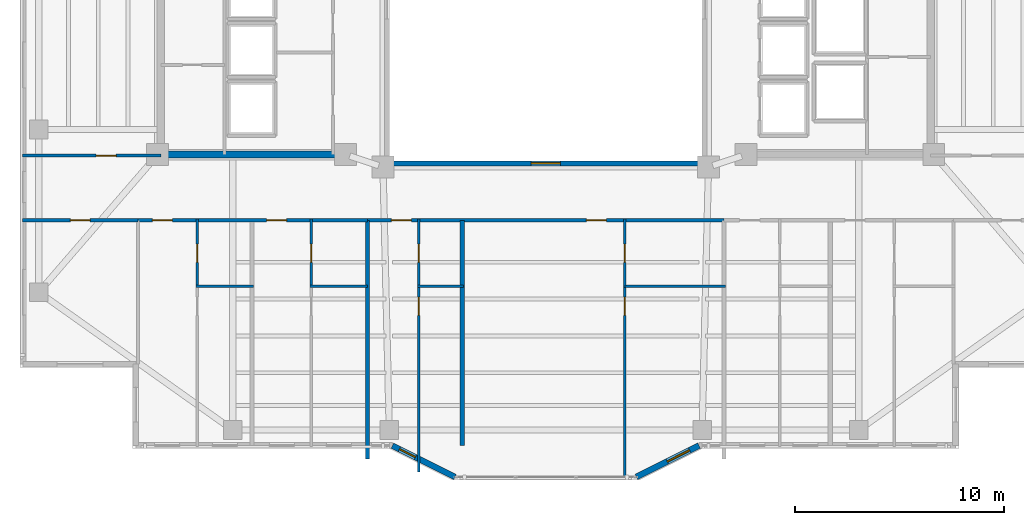
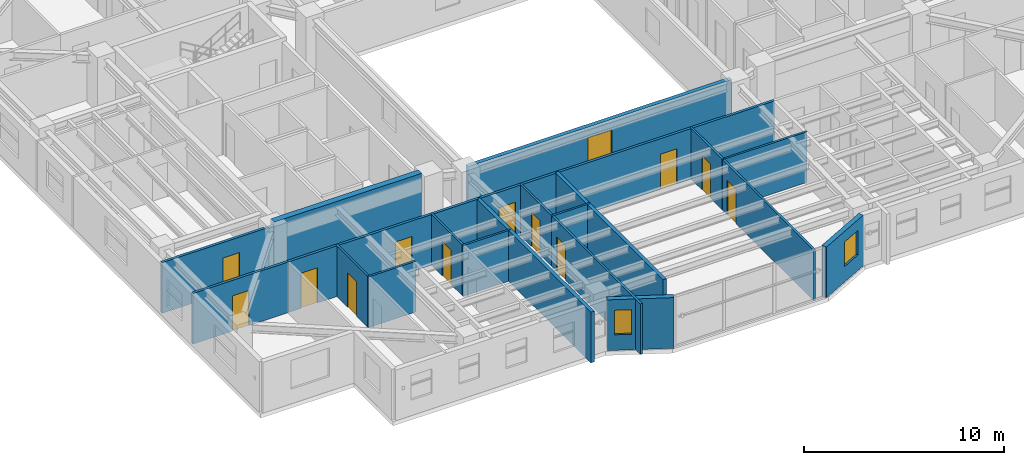
# One storey, part 6 of 16: 20 walls, 12 doors, 3 windows, 15 openings.
"""IFC4 building model written with IfcOpenShell, lengths in metres."""

from ifc_helpers import new_model, si_unit, direction, frame, frame_2d, origin, place, context, subcontext, project, spatial, rectangle, extrude, material, layer, layer_set, type_object, element, fill, save


model = new_model("IFC4")

# Units and contexts
model_context = context("Model", 3, precision=1e-05, world=origin(), true_north=direction((0.0, 1.0)))
body_context = subcontext(model_context, "Body", "Model", "MODEL_VIEW")
ifc_project = project(units=[si_unit("LENGTHUNIT", "METRE"), si_unit("AREAUNIT", "SQUARE_METRE"), si_unit("VOLUMEUNIT", "CUBIC_METRE"), si_unit("PLANEANGLEUNIT", "RADIAN"), si_unit("MASSUNIT", "GRAM", prefix="KILO")], contexts=[model_context])

# Site, building, storey
site_placement = place(None, origin())
site = spatial("IfcSite", under=ifc_project, at=site_placement, CompositionType="ELEMENT")
building_placement = place(site_placement, origin())
building = spatial("IfcBuilding", under=site, at=building_placement, Name="Tarnavaz Court Tower", CompositionType="ELEMENT")
storey_placement = place(building_placement, frame((0.0, 0.0, 166.10009765625)))
storey = spatial("IfcBuildingStorey", under=building, at=storey_placement, Name="L45", CompositionType="ELEMENT", Elevation=166.10009765625)

# Wall
ifc_material_1 = material(Name="Concrete C50/60", Category="concrete")
ifc_layer_1 = layer(ifc_material_1, 0.35009765625)
ifc_layer_set_1 = layer_set([ifc_layer_1], Name="Concrete C50/60")
wall_type_1 = type_object("IfcWallType", Name="WL-CORE-350-C50", PredefinedType="SHEAR", material=ifc_layer_set_1)
wall_1_placement = place(storey_placement, frame((-18.625, -7.199951171875, 0.0), z_axis=(0.0, 0.0, 1.0), x_axis=(1.0, 0.0, 0.0)))
element("IfcWall", 1, at=wall_1_placement, inside=storey, type_object=wall_type_1, Name="L45 West Core South Shear Wall 058", PredefinedType="SHEAR", context=body_context, shape_type="SweptSolid", body=[
    extrude(rectangle(XDim=8.550048828125, YDim=0.35009765625, at=frame_2d((4.27490234375, 0.0))), origin(), (0.0, 0.0, 1.0), 3.349853515625),
])

# Wall, opening, window
ifc_material_2 = material(Name="Precast Concrete C40/50", Category="concrete")
ifc_layer_2 = layer(ifc_material_2, 0.280029296875)
ifc_layer_set_2 = layer_set([ifc_layer_2], Name="Precast Concrete C40/50")
wall_type_2 = type_object("IfcWallType", Name="WL-EXT-280", PredefinedType="SOLIDWALL", material=ifc_layer_set_2)
wall_2_placement = place(storey_placement, frame((7.35009765625, -21.14990234375, 0.0), z_axis=(0.0, 0.0, 1.0), x_axis=(-0.894427191, -0.4472135955, 0.0)))
wall_2 = element("IfcWall", 2, at=wall_2_placement, inside=storey, type_object=wall_type_2, Name="L45 Exterior Terracotta Facade Wall 16", PredefinedType="SOLIDWALL", context=body_context, shape_type="SweptSolid", body=[
    extrude(rectangle(XDim=3.35400390625, YDim=0.280029296875, at=frame_2d((1.677001953125, 0.0))), origin(), (0.0, 0.0, 1.0), 3.099853515625),
])
opening_1_placement = place(wall_2_placement, frame((0.501220703125, 0.0, 0.949951171875)))
opening_1 = element("IfcOpeningElement", 3, at=opening_1_placement, cuts=wall_2, Name="Opening W05", PredefinedType="OPENING", context=body_context, shape_type="SweptSolid", body=[
    extrude(rectangle(XDim=1.199951171875, YDim=1.5, at=frame_2d((0.60009765625, 0.75))), frame((0.0, 0.14990234375, 0.0), z_axis=(0.0, -1.0, 0.0), x_axis=(1.0, 0.0, 0.0)), (0.0, 0.0, 1.0), 0.300048828125),
])
ifc_material_3 = material(Name="Double-Glazed Solar Low-E Glass", Category="glass")
window_type_1 = type_object("IfcWindowType", Name="WN-APT-1200", PartitioningType="SINGLE_PANEL", PredefinedType="WINDOW", material=ifc_material_3)
window_1_placement = place(opening_1_placement, origin())
window_1 = element("IfcWindow", 4, at=window_1_placement, inside=storey, type_object=window_type_1, Name="L45 Flat 10 Kitchen Window", OverallHeight=1.5, OverallWidth=1.199951171875, PartitioningType="SINGLE_PANEL", PredefinedType="WINDOW", context=body_context, shape_type="SweptSolid", body=[
    extrude(rectangle(XDim=1.199951171875, YDim=1.5, at=frame_2d((0.60009765625, 0.75))), frame((0.0, 0.030029296875, 0.0), z_axis=(0.0, -1.0, 0.0), x_axis=(1.0, 0.0, 0.0)), (0.0, 0.0, 1.0), 0.06005859375),
])
fill(opening_1, window_1)

wall_3_placement = place(storey_placement, frame((-4.35009765625, -22.64990234375, 0.0), z_axis=(0.0, 0.0, 1.0), x_axis=(-0.894427191, 0.4472135955, 0.0)))
wall_3 = element("IfcWall", 5, at=wall_3_placement, inside=storey, type_object=wall_type_2, Name="L45 Exterior Terracotta Facade Wall 18", PredefinedType="SOLIDWALL", context=body_context, shape_type="SweptSolid", body=[
    extrude(rectangle(XDim=3.35400390625, YDim=0.280029296875, at=frame_2d((1.677001953125, 0.0))), origin(), (0.0, 0.0, 1.0), 3.099853515625),
])
opening_2_placement = place(wall_3_placement, frame((2.12353515625, 0.0, 0.949951171875)))
opening_2 = element("IfcOpeningElement", 6, at=opening_2_placement, cuts=wall_3, Name="Opening W15", PredefinedType="OPENING", context=body_context, shape_type="SweptSolid", body=[
    extrude(rectangle(XDim=0.85009765625, YDim=1.5, at=frame_2d((0.425048828125, 0.75))), frame((0.0, 0.14990234375, 0.0), z_axis=(0.0, -1.0, 0.0), x_axis=(1.0, 0.0, 0.0)), (0.0, 0.0, 1.0), 0.300048828125),
])
window_type_2 = type_object("IfcWindowType", Name="WN-APT-850", PartitioningType="SINGLE_PANEL", PredefinedType="WINDOW", material=ifc_material_3)
window_2_placement = place(opening_2_placement, origin())
window_2 = element("IfcWindow", 7, at=window_2_placement, inside=storey, type_object=window_type_2, Name="L45 Prow Cheek Bedroom Window 18", OverallHeight=1.5, OverallWidth=0.85009765625, PartitioningType="SINGLE_PANEL", PredefinedType="WINDOW", context=body_context, shape_type="SweptSolid", body=[
    extrude(rectangle(XDim=0.85009765625, YDim=1.5, at=frame_2d((0.425048828125, 0.75))), frame((0.0, 0.030029296875, 0.0), z_axis=(0.0, -1.0, 0.0), x_axis=(1.0, 0.0, 0.0)), (0.0, 0.0, 1.0), 0.06005859375),
])
fill(opening_2, window_2)

# Wall, openings, doors
ifc_material_4 = material(Name="Gypsum Fire-Board on Acoustic Metal Stud", Category="masonry")
ifc_layer_3 = layer(ifc_material_4, 0.14990234375)
ifc_layer_set_3 = layer_set([ifc_layer_3], Name="Gypsum Fire-Board on Acoustic Metal Stud")
wall_type_3 = type_object("IfcWallType", Name="WL-FIRE-150", PredefinedType="PARTITIONING", material=ifc_layer_set_3)
wall_4_placement = place(storey_placement, frame((-19.550048828125, -10.35009765625, 0.0), z_axis=(0.0, 0.0, 1.0), x_axis=(1.0, 0.0, 0.0)))
wall_4 = element("IfcWall", 8, at=wall_4_placement, inside=storey, type_object=wall_type_3, Name="L45 SW Horseshoe Wall 073", PredefinedType="PARTITIONING", context=body_context, shape_type="SweptSolid", body=[
    extrude(rectangle(XDim=11.0, YDim=0.14990234375, at=frame_2d((5.5, 0.0))), origin(), (0.0, 0.0, 1.0), 3.099853515625),
])
opening_3_placement = place(wall_4_placement, frame((0.699951171875, 0.0, 0.0)))
opening_3 = element("IfcOpeningElement", 9, at=opening_3_placement, cuts=wall_4, Name="Opening D06", PredefinedType="OPENING", context=body_context, shape_type="SweptSolid", body=[
    extrude(rectangle(XDim=0.9599609375, YDim=2.14990234375, at=frame_2d((0.47998046875, 1.074951171875))), frame((0.0, 0.0849609375, 0.0), z_axis=(0.0, -1.0, 0.0), x_axis=(1.0, 0.0, 0.0)), (0.0, 0.0, 1.0), 0.169921875),
])
opening_4_placement = place(wall_4_placement, frame((6.175048828125, 0.0, 0.0)))
opening_4 = element("IfcOpeningElement", 10, at=opening_4_placement, cuts=wall_4, Name="Opening D06", PredefinedType="OPENING", context=body_context, shape_type="SweptSolid", body=[
    extrude(rectangle(XDim=0.9599609375, YDim=2.14990234375, at=frame_2d((0.47998046875, 1.074951171875))), frame((0.0, 0.0849609375, 0.0), z_axis=(0.0, -1.0, 0.0), x_axis=(1.0, 0.0, 0.0)), (0.0, 0.0, 1.0), 0.169921875),
])
ifc_material_5 = material(Name="Fire-Rated Hardwood Timber Core", Category="wood")
door_type_1 = type_object("IfcDoorType", Name="DR-FD60-950", OperationType="NOTDEFINED", PredefinedType="DOOR", material=ifc_material_5)
door_1_placement = place(opening_3_placement, origin())
door_1 = element("IfcDoor", 11, at=door_1_placement, inside=storey, type_object=door_type_1, Name="L45 Flat 05 Entrance Door", OperationType="SINGLE_SWING_LEFT", OverallHeight=2.14990234375, OverallWidth=0.9599609375, PredefinedType="DOOR", context=body_context, shape_type="SweptSolid", body=[
    extrude(rectangle(XDim=0.9599609375, YDim=2.14990234375, at=frame_2d((0.47998046875, 1.074951171875))), frame((0.0, 0.02490234375, 0.0), z_axis=(0.0, -1.0, 0.0), x_axis=(1.0, 0.0, 0.0)), (0.0, 0.0, 1.0), 0.050048828125),
])
fill(opening_3, door_1)
door_2_placement = place(opening_4_placement, origin())
door_2 = element("IfcDoor", 12, at=door_2_placement, inside=storey, type_object=door_type_1, Name="L45 Flat 06 Entrance Door", OperationType="SINGLE_SWING_RIGHT", OverallHeight=2.14990234375, OverallWidth=0.9599609375, PredefinedType="DOOR", context=body_context, shape_type="SweptSolid", body=[
    extrude(rectangle(XDim=0.9599609375, YDim=2.14990234375, at=frame_2d((0.47998046875, 1.074951171875))), frame((0.0, 0.02490234375, 0.0), z_axis=(0.0, -1.0, 0.0), x_axis=(1.0, 0.0, 0.0)), (0.0, 0.0, 1.0), 0.050048828125),
])
fill(opening_4, door_2)

wall_5_placement = place(storey_placement, frame((-8.550048828125, -10.35009765625, 0.0), z_axis=(0.0, 0.0, 1.0), x_axis=(1.0, 0.0, 0.0)))
wall_5 = element("IfcWall", 13, at=wall_5_placement, inside=storey, type_object=wall_type_3, Name="L45 Interior Partition 106", PredefinedType="PARTITIONING", context=body_context, shape_type="SweptSolid", body=[
    extrude(rectangle(XDim=17.10009765625, YDim=0.14990234375, at=frame_2d((8.550048828125, 0.0))), origin(), (0.0, 0.0, 1.0), 3.099853515625),
])
opening_5_placement = place(wall_5_placement, frame((1.14990234375, 0.0, 0.0)))
opening_5 = element("IfcOpeningElement", 14, at=opening_5_placement, cuts=wall_5, Name="Opening D06", PredefinedType="OPENING", context=body_context, shape_type="SweptSolid", body=[
    extrude(rectangle(XDim=0.9599609375, YDim=2.14990234375, at=frame_2d((0.47998046875, 1.074951171875))), frame((0.0, 0.0849609375, 0.0), z_axis=(0.0, -1.0, 0.0), x_axis=(1.0, 0.0, 0.0)), (0.0, 0.0, 1.0), 0.169921875),
])
opening_6_placement = place(wall_5_placement, frame((10.5, 0.0, 0.0)))
opening_6 = element("IfcOpeningElement", 15, at=opening_6_placement, cuts=wall_5, Name="Opening D06", PredefinedType="OPENING", context=body_context, shape_type="SweptSolid", body=[
    extrude(rectangle(XDim=0.9599609375, YDim=2.14990234375, at=frame_2d((0.47998046875, 1.074951171875))), frame((0.0, 0.0849609375, 0.0), z_axis=(0.0, -1.0, 0.0), x_axis=(1.0, 0.0, 0.0)), (0.0, 0.0, 1.0), 0.169921875),
])
door_3_placement = place(opening_5_placement, origin())
door_3 = element("IfcDoor", 16, at=door_3_placement, inside=storey, type_object=door_type_1, Name="L45 Flat 09 Entrance Door", OperationType="SINGLE_SWING_LEFT", OverallHeight=2.14990234375, OverallWidth=0.9599609375, PredefinedType="DOOR", context=body_context, shape_type="SweptSolid", body=[
    extrude(rectangle(XDim=0.9599609375, YDim=2.14990234375, at=frame_2d((0.47998046875, 1.074951171875))), frame((0.0, 0.02490234375, 0.0), z_axis=(0.0, -1.0, 0.0), x_axis=(1.0, 0.0, 0.0)), (0.0, 0.0, 1.0), 0.050048828125),
])
fill(opening_5, door_3)
door_4_placement = place(opening_6_placement, origin())
door_4 = element("IfcDoor", 17, at=door_4_placement, inside=storey, type_object=door_type_1, Name="L45 Flat 10 Entrance Door", OperationType="SINGLE_SWING_RIGHT", OverallHeight=2.14990234375, OverallWidth=0.9599609375, PredefinedType="DOOR", context=body_context, shape_type="SweptSolid", body=[
    extrude(rectangle(XDim=0.9599609375, YDim=2.14990234375, at=frame_2d((0.47998046875, 1.074951171875))), frame((0.0, 0.02490234375, 0.0), z_axis=(0.0, -1.0, 0.0), x_axis=(1.0, 0.0, 0.0)), (0.0, 0.0, 1.0), 0.050048828125),
])
fill(opening_6, door_4)

# Wall, opening, door
wall_6_placement = place(storey_placement, frame((-25.080078125, -7.25, 0.0), z_axis=(0.0, 0.0, 1.0), x_axis=(1.0, 0.0, 0.0)))
wall_6 = element("IfcWall", 18, at=wall_6_placement, inside=storey, type_object=wall_type_3, Name="L45 Interior Partition 114", PredefinedType="PARTITIONING", context=body_context, shape_type="SweptSolid", body=[
    extrude(rectangle(XDim=6.630126953125, YDim=0.14990234375, at=frame_2d((3.31494140625, 0.0))), origin(), (0.0, 0.0, 1.0), 3.099853515625),
])
opening_7_placement = place(wall_6_placement, frame((3.530029296875, 0.0, 0.0)))
opening_7 = element("IfcOpeningElement", 19, at=opening_7_placement, cuts=wall_6, Name="Opening D06", PredefinedType="OPENING", context=body_context, shape_type="SweptSolid", body=[
    extrude(rectangle(XDim=0.9599609375, YDim=2.14990234375, at=frame_2d((0.47998046875, 1.074951171875))), frame((0.0, 0.0849609375, 0.0), z_axis=(0.0, -1.0, 0.0), x_axis=(1.0, 0.0, 0.0)), (0.0, 0.0, 1.0), 0.169921875),
])
door_5_placement = place(opening_7_placement, origin())
door_5 = element("IfcDoor", 20, at=door_5_placement, inside=storey, type_object=door_type_1, Name="L45 Flat 11 Entrance Door", OperationType="SINGLE_SWING_LEFT", OverallHeight=2.14990234375, OverallWidth=0.9599609375, PredefinedType="DOOR", context=body_context, shape_type="SweptSolid", body=[
    extrude(rectangle(XDim=0.9599609375, YDim=2.14990234375, at=frame_2d((0.47998046875, 1.074951171875))), frame((0.0, 0.02490234375, 0.0), z_axis=(0.0, -1.0, 0.0), x_axis=(1.0, 0.0, 0.0)), (0.0, 0.0, 1.0), 0.050048828125),
])
fill(opening_7, door_5)

wall_7_placement = place(storey_placement, frame((-25.080078125, -10.35009765625, 0.0), z_axis=(0.0, 0.0, 1.0), x_axis=(1.0, 0.0, 0.0)))
wall_7 = element("IfcWall", 21, at=wall_7_placement, inside=storey, type_object=wall_type_3, Name="L45 Interior Partition 124", PredefinedType="PARTITIONING", context=body_context, shape_type="SweptSolid", body=[
    extrude(rectangle(XDim=5.530029296875, YDim=0.14990234375, at=frame_2d((2.76513671875, 0.0))), origin(), (0.0, 0.0, 1.0), 3.099853515625),
])
opening_8_placement = place(wall_7_placement, frame((2.2900390625, 0.0, 0.0)))
opening_8 = element("IfcOpeningElement", 22, at=opening_8_placement, cuts=wall_7, Name="Opening D13", PredefinedType="OPENING", context=body_context, shape_type="SweptSolid", body=[
    extrude(rectangle(XDim=0.949951171875, YDim=2.14990234375, at=frame_2d((0.47509765625, 1.074951171875))), frame((0.0, 0.0849609375, 0.0), z_axis=(0.0, -1.0, 0.0), x_axis=(1.0, 0.0, 0.0)), (0.0, 0.0, 1.0), 0.169921875),
])
ifc_material_6 = material(Name="Engineered Oak Timber", Category="wood")
door_type_2 = type_object("IfcDoorType", Name="DR-INT-950", OperationType="NOTDEFINED", PredefinedType="DOOR", material=ifc_material_6)
door_6_placement = place(opening_8_placement, origin())
door_6 = element("IfcDoor", 23, at=door_6_placement, inside=storey, type_object=door_type_2, Name="L45 SW Reading Room Door", OperationType="SINGLE_SWING_LEFT", OverallHeight=2.14990234375, OverallWidth=0.949951171875, PredefinedType="DOOR", context=body_context, shape_type="SweptSolid", body=[
    extrude(rectangle(XDim=0.949951171875, YDim=2.14990234375, at=frame_2d((0.47509765625, 1.074951171875))), frame((0.0, 0.02490234375, 0.0), z_axis=(0.0, -1.0, 0.0), x_axis=(1.0, 0.0, 0.0)), (0.0, 0.0, 1.0), 0.050048828125),
])
fill(opening_8, door_6)

# Walls
ifc_material_7 = material(Name="Autoclaved Aerated Concrete Blockwork", Category="masonry")
ifc_layer_4 = layer(ifc_material_7, 0.199951171875)
ifc_layer_set_4 = layer_set([ifc_layer_4], Name="Autoclaved Aerated Concrete Blockwork")
wall_type_4 = type_object("IfcWallType", Name="WL-FIRE-200", PredefinedType="SOLIDWALL", material=ifc_layer_set_4)
wall_8_placement = place(storey_placement, frame((-8.550048828125, -21.803955078125, 0.0), z_axis=(0.0, 0.0, 1.0), x_axis=(0.0, 1.0, 0.0)))
element("IfcWall", 24, at=wall_8_placement, inside=storey, type_object=wall_type_4, Name="L45 Party Wall 104", PredefinedType="SOLIDWALL", context=body_context, shape_type="SweptSolid", body=[
    extrude(rectangle(XDim=11.453857421875, YDim=0.199951171875, at=frame_2d((5.72705078125, 0.0))), origin(), (0.0, 0.0, 1.0), 3.099853515625),
])
wall_9_placement = place(storey_placement, frame((-4.0, -21.14990234375, 0.0), z_axis=(0.0, 0.0, 1.0), x_axis=(0.0, 1.0, 0.0)))
element("IfcWall", 25, at=wall_9_placement, inside=storey, type_object=wall_type_4, Name="L45 Party Wall 107", PredefinedType="SOLIDWALL", context=body_context, shape_type="SweptSolid", body=[
    extrude(rectangle(XDim=10.7998046875, YDim=0.199951171875, at=frame_2d((5.39990234375, 0.0))), origin(), (0.0, 0.0, 1.0), 3.099853515625),
])

# Wall, opening, door
ifc_material_8 = material(Name="Moisture-Resistant Gypsum Board Partition", Category="masonry")
ifc_layer_5 = layer(ifc_material_8, 0.1201171875)
ifc_layer_set_5 = layer_set([ifc_layer_5], Name="Moisture-Resistant Gypsum Board Partition")
wall_type_5 = type_object("IfcWallType", Name="WL-PART-120", PredefinedType="PARTITIONING", material=ifc_layer_set_5)
wall_10_placement = place(storey_placement, frame((-16.705078125, -13.510009765625, 0.0), z_axis=(0.0, 0.0, 1.0), x_axis=(0.0, 1.0, 0.0)))
wall_10 = element("IfcWall", 26, at=wall_10_placement, inside=storey, type_object=wall_type_5, Name="L45 Interior Partition 092", PredefinedType="PARTITIONING", context=body_context, shape_type="SweptSolid", body=[
    extrude(rectangle(XDim=3.219970703125, YDim=0.1201171875, at=frame_2d((1.60986328125, 0.0))), origin(), (0.0, 0.0, 1.0), 3.099853515625),
])
opening_9_placement = place(wall_10_placement, frame((1.139892578125, 0.0, 0.0)))
opening_9 = element("IfcOpeningElement", 27, at=opening_9_placement, cuts=wall_10, Name="Opening D14", PredefinedType="OPENING", context=body_context, shape_type="SweptSolid", body=[
    extrude(rectangle(XDim=0.8798828125, YDim=2.10009765625, at=frame_2d((0.43994140625, 1.050048828125))), frame((0.0, 0.070068359375, 0.0), z_axis=(0.0, -1.0, 0.0), x_axis=(1.0, 0.0, 0.0)), (0.0, 0.0, 1.0), 0.14013671875),
])
door_type_3 = type_object("IfcDoorType", Name="DR-INT-900", OperationType="NOTDEFINED", PredefinedType="DOOR", material=ifc_material_6)
door_7_placement = place(opening_9_placement, origin())
door_7 = element("IfcDoor", 28, at=door_7_placement, inside=storey, type_object=door_type_3, Name="L45 Flat 05 Bathroom Door", OperationType="SINGLE_SWING_LEFT", OverallHeight=2.10009765625, OverallWidth=0.8798828125, PredefinedType="DOOR", context=body_context, shape_type="SweptSolid", body=[
    extrude(rectangle(XDim=0.8798828125, YDim=2.10009765625, at=frame_2d((0.43994140625, 1.050048828125))), frame((0.0, 0.02490234375, 0.0), z_axis=(0.0, -1.0, 0.0), x_axis=(1.0, 0.0, 0.0)), (0.0, 0.0, 1.0), 0.050048828125),
])
fill(opening_9, door_7)

# Wall
wall_11_placement = place(storey_placement, frame((-16.764892578125, -13.510009765625, 0.0), z_axis=(0.0, 0.0, 1.0), x_axis=(1.0, 0.0, 0.0)))
element("IfcWall", 29, at=wall_11_placement, inside=storey, type_object=wall_type_5, Name="L45 Interior Partition 093", PredefinedType="PARTITIONING", context=body_context, shape_type="SweptSolid", body=[
    extrude(rectangle(XDim=2.75, YDim=0.1201171875, at=frame_2d((1.375, 0.0))), origin(), (0.0, 0.0, 1.0), 3.099853515625),
])

# Wall, opening, door
wall_12_placement = place(storey_placement, frame((-11.22998046875, -13.510009765625, 0.0), z_axis=(0.0, 0.0, 1.0), x_axis=(0.0, 1.0, 0.0)))
wall_12 = element("IfcWall", 30, at=wall_12_placement, inside=storey, type_object=wall_type_5, Name="L45 Interior Partition 095", PredefinedType="PARTITIONING", context=body_context, shape_type="SweptSolid", body=[
    extrude(rectangle(XDim=3.219970703125, YDim=0.1201171875, at=frame_2d((1.60986328125, 0.0))), origin(), (0.0, 0.0, 1.0), 3.099853515625),
])
opening_10_placement = place(wall_12_placement, frame((1.139892578125, 0.0, 0.0)))
opening_10 = element("IfcOpeningElement", 31, at=opening_10_placement, cuts=wall_12, Name="Opening D14", PredefinedType="OPENING", context=body_context, shape_type="SweptSolid", body=[
    extrude(rectangle(XDim=0.8798828125, YDim=2.10009765625, at=frame_2d((0.43994140625, 1.050048828125))), frame((0.0, 0.070068359375, 0.0), z_axis=(0.0, -1.0, 0.0), x_axis=(1.0, 0.0, 0.0)), (0.0, 0.0, 1.0), 0.14013671875),
])
door_8_placement = place(opening_10_placement, origin())
door_8 = element("IfcDoor", 32, at=door_8_placement, inside=storey, type_object=door_type_3, Name="L45 Flat 06 Bathroom Door", OperationType="SINGLE_SWING_RIGHT", OverallHeight=2.10009765625, OverallWidth=0.8798828125, PredefinedType="DOOR", context=body_context, shape_type="SweptSolid", body=[
    extrude(rectangle(XDim=0.8798828125, YDim=2.10009765625, at=frame_2d((0.43994140625, 1.050048828125))), frame((0.0, 0.02490234375, 0.0), z_axis=(0.0, -1.0, 0.0), x_axis=(1.0, 0.0, 0.0)), (0.0, 0.0, 1.0), 0.050048828125),
])
fill(opening_10, door_8)

# Wall
wall_13_placement = place(storey_placement, frame((-11.2900390625, -13.510009765625, 0.0), z_axis=(0.0, 0.0, 1.0), x_axis=(1.0, 0.0, 0.0)))
element("IfcWall", 33, at=wall_13_placement, inside=storey, type_object=wall_type_5, Name="L45 Interior Partition 096", PredefinedType="PARTITIONING", context=body_context, shape_type="SweptSolid", body=[
    extrude(rectangle(XDim=2.75, YDim=0.1201171875, at=frame_2d((1.375, 0.0))), origin(), (0.0, 0.0, 1.0), 3.099853515625),
])

# Wall, opening, door
wall_14_placement = place(storey_placement, frame((-6.080078125, -22.4140625, 0.0), z_axis=(0.0, 0.0, 1.0), x_axis=(0.0, 1.0, 0.0)))
wall_14 = element("IfcWall", 34, at=wall_14_placement, inside=storey, type_object=wall_type_5, Name="L45 Interior Partition 108", PredefinedType="PARTITIONING", context=body_context, shape_type="SweptSolid", body=[
    extrude(rectangle(XDim=8.904052734375, YDim=0.1201171875, at=frame_2d((4.4521484375, 0.0))), origin(), (0.0, 0.0, 1.0), 3.099853515625),
])
opening_11_placement = place(wall_14_placement, frame((7.50390625, 0.0, 0.0)))
opening_11 = element("IfcOpeningElement", 35, at=opening_11_placement, cuts=wall_14, Name="Opening D14", PredefinedType="OPENING", context=body_context, shape_type="SweptSolid", body=[
    extrude(rectangle(XDim=0.8798828125, YDim=2.10009765625, at=frame_2d((0.43994140625, 1.050048828125))), frame((0.0, 0.070068359375, 0.0), z_axis=(0.0, -1.0, 0.0), x_axis=(1.0, 0.0, 0.0)), (0.0, 0.0, 1.0), 0.14013671875),
])
door_9_placement = place(opening_11_placement, origin())
door_9 = element("IfcDoor", 36, at=door_9_placement, inside=storey, type_object=door_type_3, Name="L45 Flat 09 Kitchen Door", OperationType="SINGLE_SWING_RIGHT", OverallHeight=2.10009765625, OverallWidth=0.8798828125, PredefinedType="DOOR", context=body_context, shape_type="SweptSolid", body=[
    extrude(rectangle(XDim=0.8798828125, YDim=2.10009765625, at=frame_2d((0.43994140625, 1.050048828125))), frame((0.0, 0.02490234375, 0.0), z_axis=(0.0, -1.0, 0.0), x_axis=(1.0, 0.0, 0.0)), (0.0, 0.0, 1.0), 0.050048828125),
])
fill(opening_11, door_9)

wall_15_placement = place(storey_placement, frame((-6.080078125, -13.510009765625, 0.0), z_axis=(0.0, 0.0, 1.0), x_axis=(0.0, 1.0, 0.0)))
wall_15 = element("IfcWall", 37, at=wall_15_placement, inside=storey, type_object=wall_type_5, Name="L45 Interior Partition 109", PredefinedType="PARTITIONING", context=body_context, shape_type="SweptSolid", body=[
    extrude(rectangle(XDim=3.219970703125, YDim=0.1201171875, at=frame_2d((1.60986328125, 0.0))), origin(), (0.0, 0.0, 1.0), 3.099853515625),
])
opening_12_placement = place(wall_15_placement, frame((1.139892578125, 0.0, 0.0)))
opening_12 = element("IfcOpeningElement", 38, at=opening_12_placement, cuts=wall_15, Name="Opening D14", PredefinedType="OPENING", context=body_context, shape_type="SweptSolid", body=[
    extrude(rectangle(XDim=0.8798828125, YDim=2.10009765625, at=frame_2d((0.43994140625, 1.050048828125))), frame((0.0, 0.070068359375, 0.0), z_axis=(0.0, -1.0, 0.0), x_axis=(1.0, 0.0, 0.0)), (0.0, 0.0, 1.0), 0.14013671875),
])
door_10_placement = place(opening_12_placement, origin())
door_10 = element("IfcDoor", 39, at=door_10_placement, inside=storey, type_object=door_type_3, Name="L45 Flat 09 Bathroom Door", OperationType="SINGLE_SWING_LEFT", OverallHeight=2.10009765625, OverallWidth=0.8798828125, PredefinedType="DOOR", context=body_context, shape_type="SweptSolid", body=[
    extrude(rectangle(XDim=0.8798828125, YDim=2.10009765625, at=frame_2d((0.43994140625, 1.050048828125))), frame((0.0, 0.02490234375, 0.0), z_axis=(0.0, -1.0, 0.0), x_axis=(1.0, 0.0, 0.0)), (0.0, 0.0, 1.0), 0.050048828125),
])
fill(opening_12, door_10)

# Wall
wall_16_placement = place(storey_placement, frame((-6.139892578125, -13.510009765625, 0.0), z_axis=(0.0, 0.0, 1.0), x_axis=(1.0, 0.0, 0.0)))
element("IfcWall", 40, at=wall_16_placement, inside=storey, type_object=wall_type_5, Name="L45 Interior Partition 110", PredefinedType="PARTITIONING", context=body_context, shape_type="SweptSolid", body=[
    extrude(rectangle(XDim=2.199951171875, YDim=0.1201171875, at=frame_2d((1.10009765625, 0.0))), origin(), (0.0, 0.0, 1.0), 3.099853515625),
])

# Wall, opening, door
wall_17_placement = place(storey_placement, frame((3.780029296875, -22.679931640625, 0.0), z_axis=(0.0, 0.0, 1.0), x_axis=(0.0, 1.0, 0.0)))
wall_17 = element("IfcWall", 41, at=wall_17_placement, inside=storey, type_object=wall_type_5, Name="L45 Interior Partition 111", PredefinedType="PARTITIONING", context=body_context, shape_type="SweptSolid", body=[
    extrude(rectangle(XDim=9.169921875, YDim=0.1201171875, at=frame_2d((4.5849609375, 0.0))), origin(), (0.0, 0.0, 1.0), 3.099853515625),
])
opening_13_placement = place(wall_17_placement, frame((7.77001953125, 0.0, 0.0)))
opening_13 = element("IfcOpeningElement", 42, at=opening_13_placement, cuts=wall_17, Name="Opening D14", PredefinedType="OPENING", context=body_context, shape_type="SweptSolid", body=[
    extrude(rectangle(XDim=0.8798828125, YDim=2.10009765625, at=frame_2d((0.43994140625, 1.050048828125))), frame((0.0, 0.070068359375, 0.0), z_axis=(0.0, -1.0, 0.0), x_axis=(1.0, 0.0, 0.0)), (0.0, 0.0, 1.0), 0.14013671875),
])
door_11_placement = place(opening_13_placement, origin())
door_11 = element("IfcDoor", 43, at=door_11_placement, inside=storey, type_object=door_type_3, Name="L45 Flat 10 Kitchen Door", OperationType="SINGLE_SWING_LEFT", OverallHeight=2.10009765625, OverallWidth=0.8798828125, PredefinedType="DOOR", context=body_context, shape_type="SweptSolid", body=[
    extrude(rectangle(XDim=0.8798828125, YDim=2.10009765625, at=frame_2d((0.43994140625, 1.050048828125))), frame((0.0, 0.02490234375, 0.0), z_axis=(0.0, -1.0, 0.0), x_axis=(1.0, 0.0, 0.0)), (0.0, 0.0, 1.0), 0.050048828125),
])
fill(opening_13, door_11)

wall_18_placement = place(storey_placement, frame((3.780029296875, -13.510009765625, 0.0), z_axis=(0.0, 0.0, 1.0), x_axis=(0.0, 1.0, 0.0)))
wall_18 = element("IfcWall", 44, at=wall_18_placement, inside=storey, type_object=wall_type_5, Name="L45 Interior Partition 112", PredefinedType="PARTITIONING", context=body_context, shape_type="SweptSolid", body=[
    extrude(rectangle(XDim=3.219970703125, YDim=0.1201171875, at=frame_2d((1.60986328125, 0.0))), origin(), (0.0, 0.0, 1.0), 3.099853515625),
])
opening_14_placement = place(wall_18_placement, frame((1.139892578125, 0.0, 0.0)))
opening_14 = element("IfcOpeningElement", 45, at=opening_14_placement, cuts=wall_18, Name="Opening D14", PredefinedType="OPENING", context=body_context, shape_type="SweptSolid", body=[
    extrude(rectangle(XDim=0.8798828125, YDim=2.10009765625, at=frame_2d((0.43994140625, 1.050048828125))), frame((0.0, 0.070068359375, 0.0), z_axis=(0.0, -1.0, 0.0), x_axis=(1.0, 0.0, 0.0)), (0.0, 0.0, 1.0), 0.14013671875),
])
door_12_placement = place(opening_14_placement, origin())
door_12 = element("IfcDoor", 46, at=door_12_placement, inside=storey, type_object=door_type_3, Name="L45 Flat 10 Bathroom Door", OperationType="SINGLE_SWING_RIGHT", OverallHeight=2.10009765625, OverallWidth=0.8798828125, PredefinedType="DOOR", context=body_context, shape_type="SweptSolid", body=[
    extrude(rectangle(XDim=0.8798828125, YDim=2.10009765625, at=frame_2d((0.43994140625, 1.050048828125))), frame((0.0, 0.02490234375, 0.0), z_axis=(0.0, -1.0, 0.0), x_axis=(1.0, 0.0, 0.0)), (0.0, 0.0, 1.0), 0.050048828125),
])
fill(opening_14, door_12)

# Wall
wall_19_placement = place(storey_placement, frame((3.719970703125, -13.510009765625, 0.0), z_axis=(0.0, 0.0, 1.0), x_axis=(1.0, 0.0, 0.0)))
element("IfcWall", 47, at=wall_19_placement, inside=storey, type_object=wall_type_5, Name="L45 Interior Partition 113", PredefinedType="PARTITIONING", context=body_context, shape_type="SweptSolid", body=[
    extrude(rectangle(XDim=4.89013671875, YDim=0.1201171875, at=frame_2d((2.445068359375, 0.0))), origin(), (0.0, 0.0, 1.0), 3.099853515625),
])

# Wall, opening, window
ifc_layer_6 = layer(ifc_material_2, 0.239990234375)
ifc_layer_set_6 = layer_set([ifc_layer_6], Name="Precast Concrete C40/50")
wall_type_6 = type_object("IfcWallType", Name="WL-WELL-240", PredefinedType="SOLIDWALL", material=ifc_layer_set_6)
wall_20_placement = place(storey_placement, frame((-7.6201171875, -7.6201171875, 0.0), z_axis=(0.0, 0.0, 1.0), x_axis=(1.0, 0.0, 0.0)))
wall_20 = element("IfcWall", 48, at=wall_20_placement, inside=storey, type_object=wall_type_6, Name="L45 Badgir Light-Well Exterior Wall S", PredefinedType="SOLIDWALL", context=body_context, shape_type="SweptSolid", body=[
    extrude(rectangle(XDim=15.240234375, YDim=0.239990234375, at=frame_2d((7.6201171875, 0.0))), origin(), (0.0, 0.0, 1.0), 3.099853515625),
])
opening_15_placement = place(wall_20_placement, frame((6.919921875, 0.0, 0.949951171875)))
opening_15 = element("IfcOpeningElement", 49, at=opening_15_placement, cuts=wall_20, Name="Opening W13", PredefinedType="OPENING", context=body_context, shape_type="SweptSolid", body=[
    extrude(rectangle(XDim=1.39990234375, YDim=1.5, at=frame_2d((0.699951171875, 0.75))), frame((0.0, 0.1298828125, 0.0), z_axis=(0.0, -1.0, 0.0), x_axis=(1.0, 0.0, 0.0)), (0.0, 0.0, 1.0), 0.260009765625),
])
window_type_3 = type_object("IfcWindowType", Name="WN-WEL-1400", PartitioningType="SINGLE_PANEL", PredefinedType="WINDOW", material=ifc_material_3)
window_3_placement = place(opening_15_placement, origin())
window_3 = element("IfcWindow", 50, at=window_3_placement, inside=storey, type_object=window_type_3, Name="L45 Courtyard Gallery Window S", OverallHeight=1.5, OverallWidth=1.39990234375, PartitioningType="SINGLE_PANEL", PredefinedType="WINDOW", context=body_context, shape_type="SweptSolid", body=[
    extrude(rectangle(XDim=1.39990234375, YDim=1.5, at=frame_2d((0.699951171875, 0.75))), frame((0.0, 0.030029296875, 0.0), z_axis=(0.0, -1.0, 0.0), x_axis=(1.0, 0.0, 0.0)), (0.0, 0.0, 1.0), 0.06005859375),
])
fill(opening_15, window_3)

save(model, "model.ifc")
